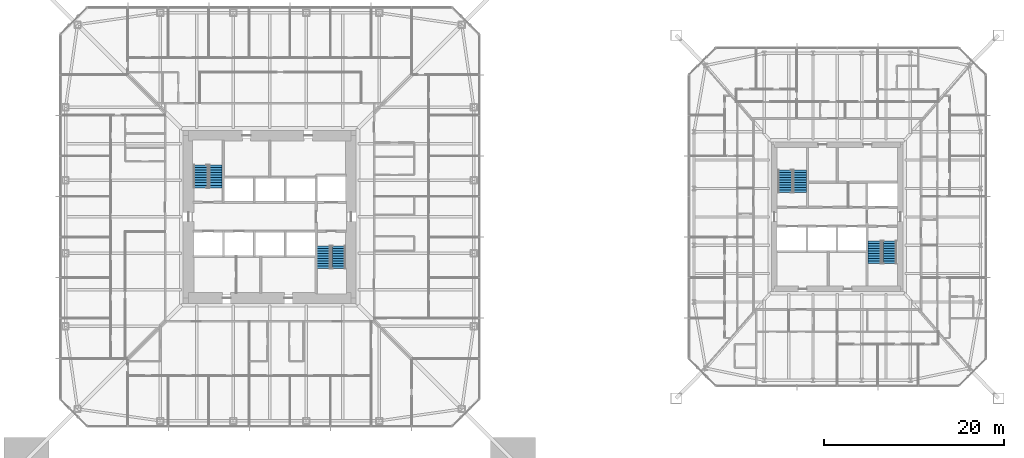
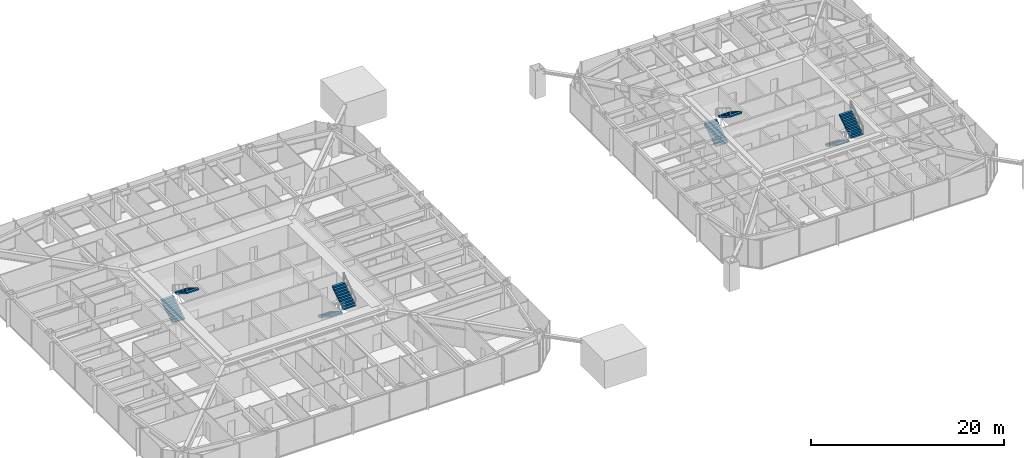
# One storey, part 22 of 26: 8 stair flights, 4 elements without a shape of their own.
"""IFC4 building model written with IfcOpenShell, lengths in metres."""

import ifcopenshell
import ifcopenshell.guid

model = None  # the IFC model being written
_history = None  # IfcOwnerHistory: only IFC2X3 demands one
_inside = {}  # id of a spatial element -> (the spatial element, [elements in it])
_under = {}  # id of a project, library or spatial element -> (it, [spatial elements below it])
_declared = {}  # id of a project -> (the project, [libraries it declares])
_typed = {}  # id of a type object -> (the type object, [elements of that type])
_made_of = {}  # id of a material, layer set ... -> (it, [elements and type objects made of it])


def new_model(schema):
    """Start an empty IFC model of exactly this schema.

    Asked for "IFC4X3", IfcOpenShell would pick the latest addendum, in which some entities
    have other attributes; the version numbers below select the first issue.
    IFC2X3 requires an IfcOwnerHistory on every rooted entity: one is made here for all.
    """
    global model, _history
    if schema == "IFC4X3":
        model = ifcopenshell.file(schema_version=(4, 3, 0, 0))
    else:
        model = ifcopenshell.file(schema=schema)
    _inside.clear()
    _under.clear()
    _declared.clear()
    _typed.clear()
    _made_of.clear()
    _history = None
    if model.schema == "IFC2X3":
        org = make("IfcOrganization", Name="unknown")
        user = make(
            "IfcPersonAndOrganization",
            ThePerson=make("IfcPerson", FamilyName="unknown"),
            TheOrganization=org,
        )
        app = make(
            "IfcApplication",
            ApplicationDeveloper=org,
            Version="unknown",
            ApplicationFullName="unknown",
            ApplicationIdentifier="unknown",
        )
        _history = make(
            "IfcOwnerHistory",
            OwningUser=user,
            OwningApplication=app,
            ChangeAction="ADDED",
            CreationDate=0,
        )
    return model


def make(cls, **values):
    """One entity of the class cls with the attributes given. An attribute that is None is left unset."""
    return model.create_entity(
        cls, **{name: value for name, value in values.items() if value is not None}
    )


def rooted(cls, **values):
    """An entity with a GlobalId (a new one), such as an element, a storey or a relation."""
    return make(cls, GlobalId=ifcopenshell.guid.new(), OwnerHistory=_history, **values)


def si_unit(unit_type, name, prefix=None):
    """IfcSIUnit, for example si_unit("LENGTHUNIT", "METRE", prefix="MILLI")."""
    return make("IfcSIUnit", UnitType=unit_type, Prefix=prefix, Name=name)


def assignment(units):
    """IfcUnitAssignment: the units of a project."""
    return None if units is None else make("IfcUnitAssignment", Units=units)


def point(xyz):
    """IfcCartesianPoint."""
    return None if xyz is None else make("IfcCartesianPoint", Coordinates=xyz)


def direction(xyz):
    """IfcDirection."""
    return None if xyz is None else make("IfcDirection", DirectionRatios=xyz)


def frame(location, z_axis=None, x_axis=None):
    """IfcAxis2Placement3D, a coordinate frame: its origin and axes. An axis left out is left unset."""
    return make(
        "IfcAxis2Placement3D",
        Location=point(location),
        Axis=direction(z_axis),
        RefDirection=direction(x_axis),
    )


def origin():
    """The frame at (0, 0, 0) with its axes left unset."""
    return frame((0.0, 0.0, 0.0))


def place(relative_to, where):
    """IfcLocalPlacement: puts the frame where relative to a parent placement (None: the world)."""
    return make(
        "IfcLocalPlacement", PlacementRelTo=relative_to, RelativePlacement=where
    )


def context(
    kind, dimensions, precision=None, world=None, true_north=None, identifier=None
):
    """IfcGeometricRepresentationContext, for example the 3D "Model" context."""
    return make(
        "IfcGeometricRepresentationContext",
        ContextIdentifier=identifier,
        ContextType=kind,
        CoordinateSpaceDimension=dimensions,
        Precision=precision,
        WorldCoordinateSystem=world,
        TrueNorth=true_north,
    )


def subcontext(parent, identifier, kind, view, scale=None):
    """IfcGeometricRepresentationSubContext, for example "Body" below "Model"."""
    return make(
        "IfcGeometricRepresentationSubContext",
        ContextIdentifier=identifier,
        ContextType=kind,
        ParentContext=parent,
        TargetScale=scale,
        TargetView=view,
    )


def project(units=None, contexts=None):
    """IfcProject with its units and contexts."""
    return rooted(
        "IfcProject",
        Name="project",
        RepresentationContexts=contexts,
        UnitsInContext=assignment(units),
    )


def spatial(cls, under=None, at=None, **own):
    """A site, building, storey or space (cls), placed at a placement, below another one or the project."""
    s = rooted(cls, ObjectPlacement=at, **own)
    if under is not None:
        _under.setdefault(under.id(), (under, []))[1].append(s)
    return s


def polyline(points):
    """IfcPolyline through the points."""
    return make("IfcPolyline", Points=[point(p) for p in points])


def outline(outer, holes=None, kind="AREA"):
    """IfcArbitraryClosedProfileDef: a profile drawn as a closed curve; with holes, ...WithVoids."""
    if holes is None:
        return make("IfcArbitraryClosedProfileDef", ProfileType=kind, OuterCurve=outer)
    return make(
        "IfcArbitraryProfileDefWithVoids",
        ProfileType=kind,
        OuterCurve=outer,
        InnerCurves=holes,
    )


def extrude(swept, where, along, depth):
    """IfcExtrudedAreaSolid: the profile swept, set in the frame where, extruded along a direction by depth."""
    return make(
        "IfcExtrudedAreaSolid",
        SweptArea=swept,
        Position=where,
        ExtrudedDirection=direction(along),
        Depth=depth,
    )


def shape(context_of_items, identifier, shape_type, items):
    """IfcShapeRepresentation: the items that make up one representation, for example the "Body"."""
    return make(
        "IfcShapeRepresentation",
        ContextOfItems=context_of_items,
        RepresentationIdentifier=identifier,
        RepresentationType=shape_type,
        Items=items,
    )


def material(Name=None, Category=None):
    """IfcMaterial."""
    return make("IfcMaterial", Name=Name, Category=Category)


def constituent(of_material, Name=None, Category=None, fraction=None):
    """IfcMaterialConstituent: one of the materials an element consists of."""
    return make(
        "IfcMaterialConstituent",
        Name=Name,
        Material=of_material,
        Fraction=fraction,
        Category=Category,
    )


def constituent_set(constituents=None, Name=None):
    """IfcMaterialConstituentSet."""
    return make(
        "IfcMaterialConstituentSet", Name=Name, MaterialConstituents=constituents
    )


def made_of(thing, what):
    """Note that an element or type object is made of a material, layer set ...; save() writes the relation."""
    if what is not None:
        _made_of.setdefault(what.id(), (what, []))[1].append(thing)
    return thing


def type_object(cls, material=None, **own):
    """A type object (cls), such as IfcWallType, which elements share."""
    return made_of(rooted(cls, **own), material)


def element(
    cls,
    number,
    at=None,
    inside=None,
    cuts=None,
    type_object=None,
    material=None,
    context=None,
    identifier="Body",
    shape_type=None,
    held_by="IfcProductDefinitionShape",
    body=None,
    shapes=None,
    **own,
):
    """One element of the class cls, such as IfcWall. Its Tag is "e" and its number.

    at: its placement. inside: the storey or other place that contains it. cuts: it is an
    opening in that element (IfcRelVoidsElement). A single representation is given by context,
    identifier, shape_type and body (its items); several are given by shapes. held_by: the class
    of the entity that holds the representations. save() writes the other relations.
    """
    e = rooted(cls, Tag="e%d" % number, ObjectPlacement=at, **own)
    if body is not None:
        shapes = [shape(context, identifier, shape_type, body)]
    if shapes is not None:
        e.Representation = make(held_by, Representations=shapes)
    if inside is not None:
        _inside.setdefault(inside.id(), (inside, []))[1].append(e)
    if cuts is not None:
        rooted(
            "IfcRelVoidsElement", RelatingBuildingElement=cuts, RelatedOpeningElement=e
        )
    if type_object is not None:
        _typed.setdefault(type_object.id(), (type_object, []))[1].append(e)
    return made_of(e, material)


def aggregate(whole, parts):
    """IfcRelAggregates: a whole, such as a stair, and the parts it consists of."""
    return rooted("IfcRelAggregates", RelatingObject=whole, RelatedObjects=parts)


def save(model, path):
    """Write the relations noted so far, then the file.

    IfcRelAggregates (storeys below a building ...), IfcRelContainedInSpatialStructure (elements
    in a storey), IfcRelDefinesByType, IfcRelAssociatesMaterial and IfcRelDeclares: one each for
    every whole, place, type object, material and project.
    """
    for whole, parts in _under.values():
        aggregate(whole, parts)
    for where, things in _inside.values():
        rooted(
            "IfcRelContainedInSpatialStructure",
            RelatedElements=things,
            RelatingStructure=where,
        )
    for kind, things in _typed.values():
        rooted("IfcRelDefinesByType", RelatedObjects=things, RelatingType=kind)
    for what, things in _made_of.values():
        rooted("IfcRelAssociatesMaterial", RelatedObjects=things, RelatingMaterial=what)
    for by, libraries in _declared.values():
        rooted("IfcRelDeclares", RelatingContext=by, RelatedDefinitions=libraries)
    model.write(path)


model = new_model("IFC4")

# Units and contexts
model_context = context("Model", 3, precision=1e-05, world=origin(), true_north=direction((0.0, 1.0)))
body_context = subcontext(model_context, "Body", "Model", "MODEL_VIEW")
ifc_project = project(units=[si_unit("LENGTHUNIT", "METRE"), si_unit("AREAUNIT", "SQUARE_METRE"), si_unit("VOLUMEUNIT", "CUBIC_METRE"), si_unit("PLANEANGLEUNIT", "RADIAN"), si_unit("MASSUNIT", "GRAM", prefix="KILO")], contexts=[model_context])

# Site, building, storey
site_placement = place(None, origin())
site = spatial("IfcSite", under=ifc_project, at=site_placement, CompositionType="ELEMENT")
building_placement = place(site_placement, origin())
building = spatial("IfcBuilding", under=site, at=building_placement, Name="Iwan Alto Co-Living Towers", CompositionType="ELEMENT")
storey_placement = place(building_placement, frame((0.0, 0.0, 36.0)))
storey = spatial("IfcBuildingStorey", under=building, at=storey_placement, Name="L09", CompositionType="ELEMENT", Elevation=36.0)

# Stair, stair flights
ifc_material_1 = material(Name="Steel ASTM A36", Category="steel")
ifc_constituent_1 = constituent(ifc_material_1, Name="Stringers", Category="LoadBearing")
ifc_material_2 = material(Name="Concrete f'c 30 MPa", Category="concrete")
ifc_constituent_2 = constituent(ifc_material_2, Name="Tread fill", Category="Finish")
ifc_constituent_set_1 = constituent_set(constituents=[ifc_constituent_1, ifc_constituent_2], Name="STAIR 3500 TWO-FLIGHT T1 CORE")
stair_type_1 = type_object("IfcStairType", Name="STAIR 3500 TWO-FLIGHT T1 CORE", PredefinedType="HALF_TURN_STAIR", material=ifc_constituent_set_1)
stair_1_placement = place(storey_placement, origin())
stair_1 = element("IfcStair", 1, at=stair_1_placement, inside=storey, type_object=stair_type_1, Name="Stair T1-S1 L09 to L10", PredefinedType="HALF_TURN_STAIR")
ifc_constituent_3 = constituent(ifc_material_1, Name="Stringers", Category="LoadBearing")
ifc_constituent_4 = constituent(ifc_material_2, Name="Tread fill", Category="Finish")
ifc_constituent_set_2 = constituent_set(constituents=[ifc_constituent_3, ifc_constituent_4], Name="STAIR FLIGHT 10 RISERS 280 GOING")
stair_flight_type = type_object("IfcStairFlightType", Name="STAIR FLIGHT 10 RISERS 280 GOING", PredefinedType="STRAIGHT", material=ifc_constituent_set_2)
stair_flight_1_placement = place(storey_placement, frame((-7.68994140625, 3.219970703125, 0.0), z_axis=(0.0, 0.0, 1.0), x_axis=(0.0, 1.0, 0.0)))
stair_flight_1 = element("IfcStairFlight", 2, at=stair_flight_1_placement, type_object=stair_flight_type, Name="T1-S1 flight 1", NumberOfRisers=10, NumberOfTreads=9, PredefinedType="STRAIGHT", RiserHeight=0.175, TreadLength=0.28, context=body_context, shape_type="SweptSolid", body=[
    extrude(outline(polyline([(0.0, 0.0), (0.0, 0.175048828125), (0.280029296875, 0.175048828125), (0.280029296875, 0.35009765625), (0.56005859375, 0.35009765625), (0.56005859375, 0.52490234375), (0.840087890625, 0.52490234375), (0.840087890625, 0.699951171875), (1.1201171875, 0.699951171875), (1.1201171875, 0.875), (1.39990234375, 0.875), (1.39990234375, 1.050048828125), (1.679931640625, 1.050048828125), (1.679931640625, 1.22509765625), (1.9599609375, 1.22509765625), (1.9599609375, 1.39990234375), (2.239990234375, 1.39990234375), (2.239990234375, 1.574951171875), (2.52001953125, 1.574951171875), (2.52001953125, 1.75), (2.52001953125, 1.398193359375), (0.28271484375, 0.0), (0.0, 0.0)])), frame((0.0, 0.739990234375, 0.0), z_axis=(0.0, -1.0, 0.0), x_axis=(1.0, 0.0, 0.0)), (0.0, 0.0, 1.0), 1.47998046875),
])
stair_flight_2_placement = place(storey_placement, frame((-6.010009765625, 5.739990234375, 1.75), z_axis=(0.0, 0.0, 1.0), x_axis=(0.0, -1.0, 0.0)))
stair_flight_2 = element("IfcStairFlight", 3, at=stair_flight_2_placement, type_object=stair_flight_type, Name="T1-S1 flight 2", NumberOfRisers=10, NumberOfTreads=9, PredefinedType="STRAIGHT", RiserHeight=0.175, TreadLength=0.28, context=body_context, shape_type="SweptSolid", body=[
    extrude(outline(polyline([(0.0, 0.0), (0.0, 0.175048828125), (0.280029296875, 0.175048828125), (0.280029296875, 0.35009765625), (0.56005859375, 0.35009765625), (0.56005859375, 0.52490234375), (0.840087890625, 0.52490234375), (0.840087890625, 0.699951171875), (1.1201171875, 0.699951171875), (1.1201171875, 0.875), (1.39990234375, 0.875), (1.39990234375, 1.050048828125), (1.679931640625, 1.050048828125), (1.679931640625, 1.22509765625), (1.9599609375, 1.22509765625), (1.9599609375, 1.39990234375), (2.239990234375, 1.39990234375), (2.239990234375, 1.574951171875), (2.52001953125, 1.574951171875), (2.52001953125, 1.75), (2.52001953125, 1.398193359375), (0.28271484375, 0.0), (0.0, 0.0)])), frame((0.0, 0.739990234375, 0.0), z_axis=(0.0, -1.0, 0.0), x_axis=(1.0, 0.0, 0.0)), (0.0, 0.0, 1.0), 1.47998046875),
])
aggregate(stair_1, [stair_flight_1, stair_flight_2])

stair_2_placement = place(storey_placement, origin())
stair_2 = element("IfcStair", 4, at=stair_2_placement, inside=storey, type_object=stair_type_1, Name="Stair T1-S2 L09 to L10", PredefinedType="HALF_TURN_STAIR")
stair_flight_3_placement = place(storey_placement, frame((6.010009765625, -3.219970703125, 0.0), z_axis=(0.0, 0.0, 1.0), x_axis=(0.0, -1.0, 0.0)))
stair_flight_3 = element("IfcStairFlight", 5, at=stair_flight_3_placement, type_object=stair_flight_type, Name="T1-S2 flight 1", NumberOfRisers=10, NumberOfTreads=9, PredefinedType="STRAIGHT", RiserHeight=0.175, TreadLength=0.28, context=body_context, shape_type="SweptSolid", body=[
    extrude(outline(polyline([(0.0, 0.0), (0.0, 0.175048828125), (0.280029296875, 0.175048828125), (0.280029296875, 0.35009765625), (0.56005859375, 0.35009765625), (0.56005859375, 0.52490234375), (0.840087890625, 0.52490234375), (0.840087890625, 0.699951171875), (1.1201171875, 0.699951171875), (1.1201171875, 0.875), (1.39990234375, 0.875), (1.39990234375, 1.050048828125), (1.679931640625, 1.050048828125), (1.679931640625, 1.22509765625), (1.9599609375, 1.22509765625), (1.9599609375, 1.39990234375), (2.239990234375, 1.39990234375), (2.239990234375, 1.574951171875), (2.52001953125, 1.574951171875), (2.52001953125, 1.75), (2.52001953125, 1.398193359375), (0.28271484375, 0.0), (0.0, 0.0)])), frame((0.0, 0.739990234375, 0.0), z_axis=(0.0, -1.0, 0.0), x_axis=(1.0, 0.0, 0.0)), (0.0, 0.0, 1.0), 1.47998046875),
])
stair_flight_4_placement = place(storey_placement, frame((7.68994140625, -5.739990234375, 1.75), z_axis=(0.0, 0.0, 1.0), x_axis=(0.0, 1.0, 0.0)))
stair_flight_4 = element("IfcStairFlight", 6, at=stair_flight_4_placement, type_object=stair_flight_type, Name="T1-S2 flight 2", NumberOfRisers=10, NumberOfTreads=9, PredefinedType="STRAIGHT", RiserHeight=0.175, TreadLength=0.28, context=body_context, shape_type="SweptSolid", body=[
    extrude(outline(polyline([(0.0, 0.0), (0.0, 0.175048828125), (0.280029296875, 0.175048828125), (0.280029296875, 0.35009765625), (0.56005859375, 0.35009765625), (0.56005859375, 0.52490234375), (0.840087890625, 0.52490234375), (0.840087890625, 0.699951171875), (1.1201171875, 0.699951171875), (1.1201171875, 0.875), (1.39990234375, 0.875), (1.39990234375, 1.050048828125), (1.679931640625, 1.050048828125), (1.679931640625, 1.22509765625), (1.9599609375, 1.22509765625), (1.9599609375, 1.39990234375), (2.239990234375, 1.39990234375), (2.239990234375, 1.574951171875), (2.52001953125, 1.574951171875), (2.52001953125, 1.75), (2.52001953125, 1.398193359375), (0.28271484375, 0.0), (0.0, 0.0)])), frame((0.0, 0.739990234375, 0.0), z_axis=(0.0, -1.0, 0.0), x_axis=(1.0, 0.0, 0.0)), (0.0, 0.0, 1.0), 1.47998046875),
])
aggregate(stair_2, [stair_flight_3, stair_flight_4])

ifc_constituent_5 = constituent(ifc_material_1, Name="Stringers", Category="LoadBearing")
ifc_constituent_6 = constituent(ifc_material_2, Name="Tread fill", Category="Finish")
ifc_constituent_set_3 = constituent_set(constituents=[ifc_constituent_5, ifc_constituent_6], Name="STAIR 3500 TWO-FLIGHT T2 CORE")
stair_type_2 = type_object("IfcStairType", Name="STAIR 3500 TWO-FLIGHT T2 CORE", PredefinedType="HALF_TURN_STAIR", material=ifc_constituent_set_3)
stair_3_placement = place(storey_placement, origin())
stair_3 = element("IfcStair", 7, at=stair_3_placement, inside=storey, type_object=stair_type_2, Name="Stair T2-S1 L09 to L10", PredefinedType="HALF_TURN_STAIR")
stair_flight_5_placement = place(storey_placement, frame((57.159912109375, 2.669921875, 0.0), z_axis=(0.0, 0.0, 1.0), x_axis=(0.0, 1.0, 0.0)))
stair_flight_5 = element("IfcStairFlight", 8, at=stair_flight_5_placement, type_object=stair_flight_type, Name="T2-S1 flight 1", NumberOfRisers=10, NumberOfTreads=9, PredefinedType="STRAIGHT", RiserHeight=0.175, TreadLength=0.28, context=body_context, shape_type="SweptSolid", body=[
    extrude(outline(polyline([(0.0, 0.0), (0.0, 0.175048828125), (0.280029296875, 0.175048828125), (0.280029296875, 0.35009765625), (0.56005859375, 0.35009765625), (0.56005859375, 0.52490234375), (0.840087890625, 0.52490234375), (0.840087890625, 0.699951171875), (1.1201171875, 0.699951171875), (1.1201171875, 0.875), (1.39990234375, 0.875), (1.39990234375, 1.050048828125), (1.679931640625, 1.050048828125), (1.679931640625, 1.22509765625), (1.9599609375, 1.22509765625), (1.9599609375, 1.39990234375), (2.239990234375, 1.39990234375), (2.239990234375, 1.574951171875), (2.52001953125, 1.574951171875), (2.52001953125, 1.75), (2.52001953125, 1.398193359375), (0.28271484375, 0.0), (0.0, 0.0)])), frame((0.0, 0.739990234375, 0.0), z_axis=(0.0, -1.0, 0.0), x_axis=(1.0, 0.0, 0.0)), (0.0, 0.0, 1.0), 1.47998046875),
])
stair_flight_6_placement = place(storey_placement, frame((58.840087890625, 5.18994140625, 1.75), z_axis=(0.0, 0.0, 1.0), x_axis=(0.0, -1.0, 0.0)))
stair_flight_6 = element("IfcStairFlight", 9, at=stair_flight_6_placement, type_object=stair_flight_type, Name="T2-S1 flight 2", NumberOfRisers=10, NumberOfTreads=9, PredefinedType="STRAIGHT", RiserHeight=0.175, TreadLength=0.28, context=body_context, shape_type="SweptSolid", body=[
    extrude(outline(polyline([(0.0, 0.0), (0.0, 0.175048828125), (0.280029296875, 0.175048828125), (0.280029296875, 0.35009765625), (0.56005859375, 0.35009765625), (0.56005859375, 0.52490234375), (0.840087890625, 0.52490234375), (0.840087890625, 0.699951171875), (1.1201171875, 0.699951171875), (1.1201171875, 0.875), (1.39990234375, 0.875), (1.39990234375, 1.050048828125), (1.679931640625, 1.050048828125), (1.679931640625, 1.22509765625), (1.9599609375, 1.22509765625), (1.9599609375, 1.39990234375), (2.239990234375, 1.39990234375), (2.239990234375, 1.574951171875), (2.52001953125, 1.574951171875), (2.52001953125, 1.75), (2.52001953125, 1.398193359375), (0.28271484375, 0.0), (0.0, 0.0)])), frame((0.0, 0.739990234375, 0.0), z_axis=(0.0, -1.0, 0.0), x_axis=(1.0, 0.0, 0.0)), (0.0, 0.0, 1.0), 1.47998046875),
])
aggregate(stair_3, [stair_flight_5, stair_flight_6])

stair_4_placement = place(storey_placement, origin())
stair_4 = element("IfcStair", 10, at=stair_4_placement, inside=storey, type_object=stair_type_2, Name="Stair T2-S2 L09 to L10", PredefinedType="HALF_TURN_STAIR")
stair_flight_7_placement = place(storey_placement, frame((67.159912109375, -2.669921875, 0.0), z_axis=(0.0, 0.0, 1.0), x_axis=(0.0, -1.0, 0.0)))
stair_flight_7 = element("IfcStairFlight", 11, at=stair_flight_7_placement, type_object=stair_flight_type, Name="T2-S2 flight 1", NumberOfRisers=10, NumberOfTreads=9, PredefinedType="STRAIGHT", RiserHeight=0.175, TreadLength=0.28, context=body_context, shape_type="SweptSolid", body=[
    extrude(outline(polyline([(0.0, 0.0), (0.0, 0.175048828125), (0.280029296875, 0.175048828125), (0.280029296875, 0.35009765625), (0.56005859375, 0.35009765625), (0.56005859375, 0.52490234375), (0.840087890625, 0.52490234375), (0.840087890625, 0.699951171875), (1.1201171875, 0.699951171875), (1.1201171875, 0.875), (1.39990234375, 0.875), (1.39990234375, 1.050048828125), (1.679931640625, 1.050048828125), (1.679931640625, 1.22509765625), (1.9599609375, 1.22509765625), (1.9599609375, 1.39990234375), (2.239990234375, 1.39990234375), (2.239990234375, 1.574951171875), (2.52001953125, 1.574951171875), (2.52001953125, 1.75), (2.52001953125, 1.398193359375), (0.28271484375, 0.0), (0.0, 0.0)])), frame((0.0, 0.739990234375, 0.0), z_axis=(0.0, -1.0, 0.0), x_axis=(1.0, 0.0, 0.0)), (0.0, 0.0, 1.0), 1.47998046875),
])
stair_flight_8_placement = place(storey_placement, frame((68.840087890625, -5.18994140625, 1.75), z_axis=(0.0, 0.0, 1.0), x_axis=(0.0, 1.0, 0.0)))
stair_flight_8 = element("IfcStairFlight", 12, at=stair_flight_8_placement, type_object=stair_flight_type, Name="T2-S2 flight 2", NumberOfRisers=10, NumberOfTreads=9, PredefinedType="STRAIGHT", RiserHeight=0.175, TreadLength=0.28, context=body_context, shape_type="SweptSolid", body=[
    extrude(outline(polyline([(0.0, 0.0), (0.0, 0.175048828125), (0.280029296875, 0.175048828125), (0.280029296875, 0.35009765625), (0.56005859375, 0.35009765625), (0.56005859375, 0.52490234375), (0.840087890625, 0.52490234375), (0.840087890625, 0.699951171875), (1.1201171875, 0.699951171875), (1.1201171875, 0.875), (1.39990234375, 0.875), (1.39990234375, 1.050048828125), (1.679931640625, 1.050048828125), (1.679931640625, 1.22509765625), (1.9599609375, 1.22509765625), (1.9599609375, 1.39990234375), (2.239990234375, 1.39990234375), (2.239990234375, 1.574951171875), (2.52001953125, 1.574951171875), (2.52001953125, 1.75), (2.52001953125, 1.398193359375), (0.28271484375, 0.0), (0.0, 0.0)])), frame((0.0, 0.739990234375, 0.0), z_axis=(0.0, -1.0, 0.0), x_axis=(1.0, 0.0, 0.0)), (0.0, 0.0, 1.0), 1.47998046875),
])
aggregate(stair_4, [stair_flight_7, stair_flight_8])

save(model, "model.ifc")
